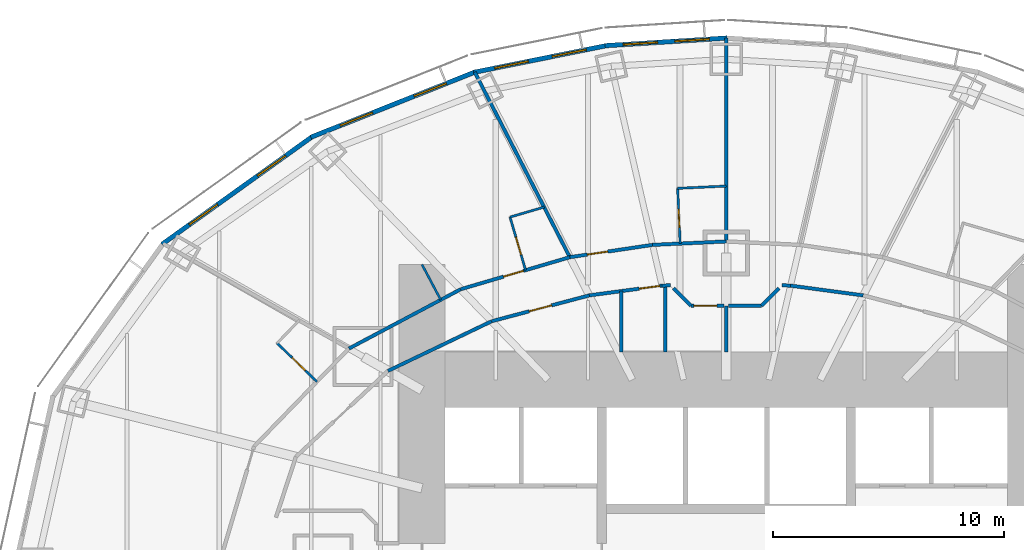
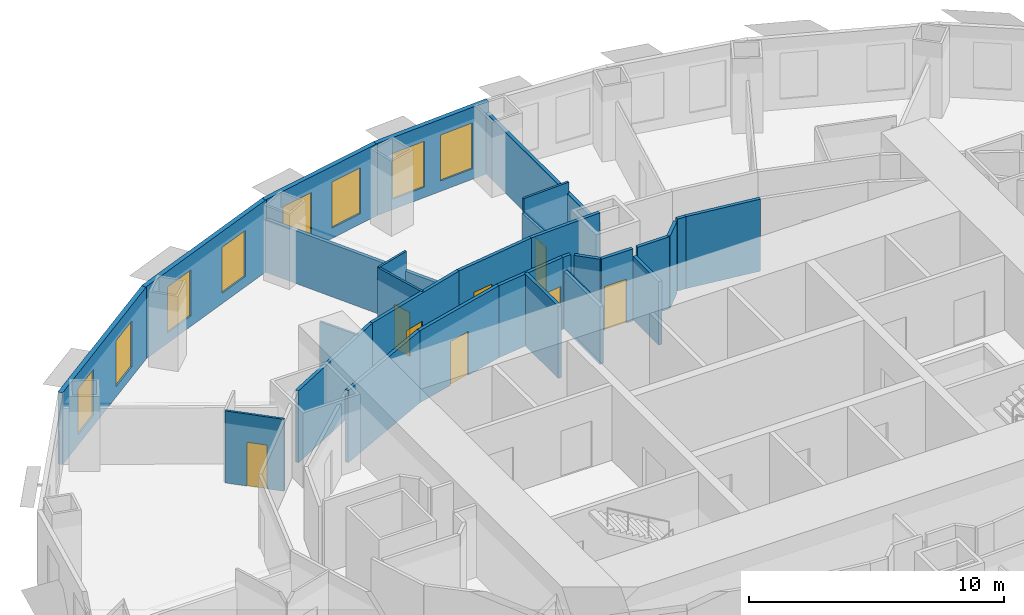
# One storey, part 9 of 15: 29 walls, 8 doors, 8 windows, 16 openings.
"""IFC4 building model written with IfcOpenShell, lengths in metres."""

from ifc_helpers import new_model, si_unit, direction, frame, frame_2d, origin, place, context, subcontext, project, spatial, rectangle, extrude, material, layer, layer_set, type_object, element, fill, save


model = new_model("IFC4")

# Units and contexts
model_context = context("Model", 3, precision=1e-05, world=origin(), true_north=direction((0.0, 1.0)))
body_context = subcontext(model_context, "Body", "Model", "MODEL_VIEW")
ifc_project = project(units=[si_unit("LENGTHUNIT", "METRE"), si_unit("AREAUNIT", "SQUARE_METRE"), si_unit("VOLUMEUNIT", "CUBIC_METRE"), si_unit("PLANEANGLEUNIT", "RADIAN"), si_unit("MASSUNIT", "GRAM", prefix="KILO")], contexts=[model_context])

# Site, building, storey
site_placement = place(None, origin())
site = spatial("IfcSite", under=ifc_project, at=site_placement, CompositionType="ELEMENT")
building_placement = place(site_placement, origin())
building = spatial("IfcBuilding", under=site, at=building_placement, Name="Lantaw Convention Tower", CompositionType="ELEMENT")
storey_placement = place(building_placement, frame((0.0, 0.0, 80.199951171875)))
storey = spatial("IfcBuildingStorey", under=building, at=storey_placement, Name="L18", CompositionType="ELEMENT", Elevation=80.199951171875)

# Wall
ifc_material_1 = material(Name="Gypsum board on steel studs", Category="steel")
ifc_layer_1 = layer(ifc_material_1, 0.14990234375)
ifc_layer_set_1 = layer_set([ifc_layer_1], Name="Back of house wall 150")
wall_type_1 = type_object("IfcWallType", Name="Back of house wall 150", PredefinedType="PARTITIONING", material=ifc_layer_set_1)
wall_1_placement = place(storey_placement, frame((0.0, 9.199951171875, 0.0), z_axis=(0.0, 0.0, 1.0), x_axis=(0.0, 1.0, 0.0)))
element("IfcWall", 1, at=wall_1_placement, inside=storey, type_object=wall_type_1, Name="Back of house wall 150", PredefinedType="PARTITIONING", context=body_context, shape_type="SweptSolid", body=[
    extrude(rectangle(XDim=2.005126953125, YDim=0.14990234375, at=frame_2d((1.00244140625, 0.0))), origin(), (0.0, 0.0, 1.0), 3.043701171875),
])

# Wall, opening, door
ifc_material_2 = material(Name="Moisture resistant gypsum board on steel studs", Category="steel")
ifc_layer_2 = layer(ifc_material_2, 0.10009765625)
ifc_layer_set_2 = layer_set([ifc_layer_2], Name="Bathroom wall 100")
wall_type_2 = type_object("IfcWallType", Name="Bathroom wall 100", PredefinedType="PARTITIONING", material=ifc_layer_set_2)
wall_2_placement = place(storey_placement, frame((-1.997802734375, 13.9072265625, 0.0), z_axis=(0.0, 0.0, 1.0), x_axis=(-0.046492089498, 0.998918658157, 0.0)))
wall_2 = element("IfcWall", 2, at=wall_2_placement, inside=storey, type_object=wall_type_2, Name="Bathroom wall 100", PredefinedType="PARTITIONING", context=body_context, shape_type="SweptSolid", body=[
    extrude(rectangle(XDim=2.39990234375, YDim=0.10009765625, at=frame_2d((1.199951171875, 0.0))), origin(), (0.0, 0.0, 1.0), 2.7490234375),
])
opening_1_placement = place(wall_2_placement, frame((0.699951171875, 0.0, 0.0)))
opening_1 = element("IfcOpeningElement", 3, at=opening_1_placement, cuts=wall_2, Name="Opening L18.33", PredefinedType="OPENING", context=body_context, shape_type="SweptSolid", body=[
    extrude(rectangle(XDim=0.800048828125, YDim=2.10009765625, at=frame_2d((0.39990234375, 1.050048828125))), frame((0.0, 0.06005859375, 0.0), z_axis=(0.0, -1.0, 0.0), x_axis=(1.0, 0.0, 0.0)), (0.0, 0.0, 1.0), 0.1201171875),
])
ifc_material_3 = material(Name="Timber", Category="wood")
door_type_1 = type_object("IfcDoorType", Name="Bathroom door 800", OperationType="SINGLE_SWING_LEFT", PredefinedType="DOOR", material=ifc_material_3)
door_1_placement = place(opening_1_placement, origin())
door_1 = element("IfcDoor", 4, at=door_1_placement, inside=storey, type_object=door_type_1, Name="Bathroom door", OperationType="SINGLE_SWING_LEFT", OverallHeight=2.10009765625, OverallWidth=0.800048828125, PredefinedType="DOOR", context=body_context, shape_type="SweptSolid", body=[
    extrude(rectangle(XDim=0.800048828125, YDim=2.10009765625, at=frame_2d((0.39990234375, 1.050048828125))), frame((0.0, 0.02490234375, 0.0), z_axis=(0.0, -1.0, 0.0), x_axis=(1.0, 0.0, 0.0)), (0.0, 0.0, 1.0), 0.050048828125),
])
fill(opening_1, door_1)

# Wall
wall_3_placement = place(storey_placement, frame((-2.109375, 16.304443359375, 0.0), z_axis=(0.0, 0.0, 1.0), x_axis=(0.998919337223, 0.04647749694, 0.0)))
element("IfcWall", 5, at=wall_3_placement, inside=storey, type_object=wall_type_2, Name="Bathroom wall 100", PredefinedType="PARTITIONING", context=body_context, shape_type="SweptSolid", body=[
    extrude(rectangle(XDim=2.111572265625, YDim=0.10009765625, at=frame_2d((1.0556640625, 0.0))), origin(), (0.0, 0.0, 1.0), 3.449951171875),
])

# Wall, opening, door
wall_4_placement = place(storey_placement, frame((-8.70458984375, 12.75390625, 0.0), z_axis=(0.0, 0.0, 1.0), x_axis=(-0.281659633817, 0.959514382736, 0.0)))
wall_4 = element("IfcWall", 6, at=wall_4_placement, inside=storey, type_object=wall_type_2, Name="Bathroom wall 100", PredefinedType="PARTITIONING", context=body_context, shape_type="SweptSolid", body=[
    extrude(rectangle(XDim=2.400146484375, YDim=0.10009765625, at=frame_2d((1.2001953125, 0.0))), origin(), (0.0, 0.0, 1.0), 3.449951171875),
])
opening_2_placement = place(wall_4_placement, frame((0.699951171875, 0.0, 0.0)))
opening_2 = element("IfcOpeningElement", 7, at=opening_2_placement, cuts=wall_4, Name="Opening L18.35", PredefinedType="OPENING", context=body_context, shape_type="SweptSolid", body=[
    extrude(rectangle(XDim=0.800048828125, YDim=2.10009765625, at=frame_2d((0.39990234375, 1.050048828125))), frame((0.0, 0.06005859375, 0.0), z_axis=(0.0, -1.0, 0.0), x_axis=(1.0, 0.0, 0.0)), (0.0, 0.0, 1.0), 0.1201171875),
])
door_2_placement = place(opening_2_placement, origin())
door_2 = element("IfcDoor", 8, at=door_2_placement, inside=storey, type_object=door_type_1, Name="Bathroom door", OperationType="SINGLE_SWING_LEFT", OverallHeight=2.10009765625, OverallWidth=0.800048828125, PredefinedType="DOOR", context=body_context, shape_type="SweptSolid", body=[
    extrude(rectangle(XDim=0.800048828125, YDim=2.10009765625, at=frame_2d((0.39990234375, 1.050048828125))), frame((0.0, 0.02490234375, 0.0), z_axis=(0.0, -1.0, 0.0), x_axis=(1.0, 0.0, 0.0)), (0.0, 0.0, 1.0), 0.050048828125),
])
fill(opening_2, door_2)

# Wall
wall_5_placement = place(storey_placement, frame((-9.380615234375, 15.056884765625, 0.0), z_axis=(0.0, 0.0, 1.0), x_axis=(0.959518451093, 0.281645773999, 0.0)))
element("IfcWall", 9, at=wall_5_placement, inside=storey, type_object=wall_type_2, Name="Bathroom wall 100", PredefinedType="PARTITIONING", context=body_context, shape_type="SweptSolid", body=[
    extrude(rectangle(XDim=1.549072265625, YDim=0.10009765625, at=frame_2d((0.7744140625, 0.0))), origin(), (0.0, 0.0, 1.0), 3.449951171875),
])

# Wall, opening, door
wall_6_placement = place(storey_placement, frame((-17.7607421875, 7.91748046875, 0.0), z_axis=(0.0, 0.0, 1.0), x_axis=(-0.718157610206, 0.695880483204, 0.0)))
wall_6 = element("IfcWall", 10, at=wall_6_placement, inside=storey, type_object=wall_type_2, Name="Bathroom wall 100", PredefinedType="PARTITIONING", context=body_context, shape_type="SweptSolid", body=[
    extrude(rectangle(XDim=2.400146484375, YDim=0.10009765625, at=frame_2d((1.2001953125, 0.0))), origin(), (0.0, 0.0, 1.0), 3.449951171875),
])
opening_3_placement = place(wall_6_placement, frame((0.699951171875, 0.0, 0.0)))
opening_3 = element("IfcOpeningElement", 11, at=opening_3_placement, cuts=wall_6, Name="Opening L18.37", PredefinedType="OPENING", context=body_context, shape_type="SweptSolid", body=[
    extrude(rectangle(XDim=0.800048828125, YDim=2.10009765625, at=frame_2d((0.39990234375, 1.050048828125))), frame((0.0, 0.06005859375, 0.0), z_axis=(0.0, -1.0, 0.0), x_axis=(1.0, 0.0, 0.0)), (0.0, 0.0, 1.0), 0.1201171875),
])
door_3_placement = place(opening_3_placement, origin())
door_3 = element("IfcDoor", 12, at=door_3_placement, inside=storey, type_object=door_type_1, Name="Bathroom door", OperationType="SINGLE_SWING_LEFT", OverallHeight=2.10009765625, OverallWidth=0.800048828125, PredefinedType="DOOR", context=body_context, shape_type="SweptSolid", body=[
    extrude(rectangle(XDim=0.800048828125, YDim=2.10009765625, at=frame_2d((0.39990234375, 1.050048828125))), frame((0.0, 0.02490234375, 0.0), z_axis=(0.0, -1.0, 0.0), x_axis=(1.0, 0.0, 0.0)), (0.0, 0.0, 1.0), 0.050048828125),
])
fill(opening_3, door_3)

# Wall
ifc_material_4 = material(Name="Gypsum board on steel studs, fire rated", Category="steel")
ifc_layer_3 = layer(ifc_material_4, 0.14990234375)
ifc_layer_set_3 = layer_set([ifc_layer_3], Name="Corridor wall 150 EI 60")
wall_type_3 = type_object("IfcWallType", Name="Corridor wall 150 EI 60", PredefinedType="PARTITIONING", material=ifc_layer_set_3)
wall_7_placement = place(storey_placement, frame((0.0, 14.0, 0.0), z_axis=(0.0, 0.0, 1.0), x_axis=(-0.998920826789, -0.046445471333, 0.0)))
element("IfcWall", 13, at=wall_7_placement, inside=storey, type_object=wall_type_3, Name="Corridor wall 150", PredefinedType="PARTITIONING", context=body_context, shape_type="SweptSolid", body=[
    extrude(rectangle(XDim=3.201171875, YDim=0.14990234375, at=frame_2d((1.6005859375, 0.0))), origin(), (0.0, 0.0, 1.0), 3.449951171875),
])

# Wall, opening, door
wall_8_placement = place(storey_placement, frame((-3.19775390625, 13.851318359375, 0.0), z_axis=(0.0, 0.0, 1.0), x_axis=(-0.989107488999, -0.14719502439, 0.0)))
wall_8 = element("IfcWall", 14, at=wall_8_placement, inside=storey, type_object=wall_type_3, Name="Corridor wall 150", PredefinedType="PARTITIONING", context=body_context, shape_type="SweptSolid", body=[
    extrude(rectangle(XDim=3.62744140625, YDim=0.14990234375, at=frame_2d((1.813720703125, 0.0))), origin(), (0.0, 0.0, 1.0), 3.449951171875),
])
opening_4_placement = place(wall_8_placement, frame((1.970458984375, 0.0, 0.0)))
opening_4 = element("IfcOpeningElement", 15, at=opening_4_placement, cuts=wall_8, Name="Opening L18.34", PredefinedType="OPENING", context=body_context, shape_type="SweptSolid", body=[
    extrude(rectangle(XDim=0.89990234375, YDim=2.10009765625, at=frame_2d((0.449951171875, 1.050048828125))), frame((0.0, 0.0849609375, 0.0), z_axis=(0.0, -1.0, 0.0), x_axis=(1.0, 0.0, 0.0)), (0.0, 0.0, 1.0), 0.169921875),
])
ifc_material_5 = material(Name="Steel, fire rated", Category="steel")
door_type_2 = type_object("IfcDoorType", Name="Guest room entrance door FD30S", OperationType="SINGLE_SWING_LEFT", PredefinedType="DOOR", material=ifc_material_5)
door_4_placement = place(opening_4_placement, origin())
door_4 = element("IfcDoor", 16, at=door_4_placement, inside=storey, type_object=door_type_2, Name="Junior suite entrance door", OperationType="SINGLE_SWING_LEFT", OverallHeight=2.10009765625, OverallWidth=0.89990234375, PredefinedType="DOOR", context=body_context, shape_type="SweptSolid", body=[
    extrude(rectangle(XDim=0.89990234375, YDim=2.10009765625, at=frame_2d((0.449951171875, 1.050048828125))), frame((0.0, 0.02490234375, 0.0), z_axis=(0.0, -1.0, 0.0), x_axis=(1.0, 0.0, 0.0)), (0.0, 0.0, 1.0), 0.050048828125),
])
fill(opening_4, door_4)

wall_9_placement = place(storey_placement, frame((-6.78564453125, 13.3173828125, 0.0), z_axis=(0.0, 0.0, 1.0), x_axis=(-0.959496227294, -0.281721475589, 0.0)))
wall_9 = element("IfcWall", 17, at=wall_9_placement, inside=storey, type_object=wall_type_3, Name="Corridor wall 150", PredefinedType="PARTITIONING", context=body_context, shape_type="SweptSolid", body=[
    extrude(rectangle(XDim=4.9326171875, YDim=0.14990234375, at=frame_2d((2.46630859375, 0.0))), origin(), (0.0, 0.0, 1.0), 3.449951171875),
])
opening_5_placement = place(wall_9_placement, frame((2.10009765625, 0.0, 0.0)))
opening_5 = element("IfcOpeningElement", 18, at=opening_5_placement, cuts=wall_9, Name="Opening L18.36", PredefinedType="OPENING", context=body_context, shape_type="SweptSolid", body=[
    extrude(rectangle(XDim=0.89990234375, YDim=2.10009765625, at=frame_2d((0.449951171875, 1.050048828125))), frame((0.0, 0.0849609375, 0.0), z_axis=(0.0, -1.0, 0.0), x_axis=(1.0, 0.0, 0.0)), (0.0, 0.0, 1.0), 0.169921875),
])
door_5_placement = place(opening_5_placement, origin())
door_5 = element("IfcDoor", 19, at=door_5_placement, inside=storey, type_object=door_type_2, Name="Junior suite entrance door", OperationType="SINGLE_SWING_LEFT", OverallHeight=2.10009765625, OverallWidth=0.89990234375, PredefinedType="DOOR", context=body_context, shape_type="SweptSolid", body=[
    extrude(rectangle(XDim=0.89990234375, YDim=2.10009765625, at=frame_2d((0.449951171875, 1.050048828125))), frame((0.0, 0.02490234375, 0.0), z_axis=(0.0, -1.0, 0.0), x_axis=(1.0, 0.0, 0.0)), (0.0, 0.0, 1.0), 0.050048828125),
])
fill(opening_5, door_5)

# Walls
wall_10_placement = place(storey_placement, frame((-11.5185546875, 11.927734375, 0.0), z_axis=(0.0, 0.0, 1.0), x_axis=(-0.883334368785, -0.468743419071, 0.0)))
element("IfcWall", 20, at=wall_10_placement, inside=storey, type_object=wall_type_3, Name="Corridor wall 150", PredefinedType="PARTITIONING", context=body_context, shape_type="SweptSolid", body=[
    extrude(rectangle(XDim=5.4912109375, YDim=0.14990234375, at=frame_2d((2.74560546875, 0.0))), origin(), (0.0, 0.0, 1.0), 3.449951171875),
])
wall_11_placement = place(storey_placement, frame((5.941162109375, 11.660400390625, 0.0), z_axis=(0.0, 0.0, 1.0), x_axis=(-0.991129053928, 0.13290296633, 0.0)))
element("IfcWall", 21, at=wall_11_placement, inside=storey, type_object=wall_type_3, Name="Corridor wall 150", PredefinedType="PARTITIONING", context=body_context, shape_type="SweptSolid", body=[
    extrude(rectangle(XDim=3.179931640625, YDim=0.14990234375, at=frame_2d((1.58984375, 0.0))), origin(), (0.0, 0.0, 1.0), 3.449951171875),
])

# Wall, opening, door
wall_12_placement = place(storey_placement, frame((-2.78955078125, 12.0830078125, 0.0), z_axis=(0.0, 0.0, 1.0), x_axis=(-0.991129053928, -0.13290296633, 0.0)))
wall_12 = element("IfcWall", 22, at=wall_12_placement, inside=storey, type_object=wall_type_3, Name="Corridor wall 150", PredefinedType="PARTITIONING", context=body_context, shape_type="SweptSolid", body=[
    extrude(rectangle(XDim=3.179931640625, YDim=0.14990234375, at=frame_2d((1.58984375, 0.0))), origin(), (0.0, 0.0, 1.0), 3.449951171875),
])
opening_6_placement = place(wall_12_placement, frame((0.10009765625, 0.0, 0.0)))
opening_6 = element("IfcOpeningElement", 23, at=opening_6_placement, cuts=wall_12, Name="Opening L18.19", PredefinedType="OPENING", context=body_context, shape_type="SweptSolid", body=[
    extrude(rectangle(XDim=0.89990234375, YDim=2.10009765625, at=frame_2d((0.449951171875, 1.050048828125))), frame((0.0, 0.0849609375, 0.0), z_axis=(0.0, -1.0, 0.0), x_axis=(1.0, 0.0, 0.0)), (0.0, 0.0, 1.0), 0.169921875),
])
door_type_3 = type_object("IfcDoorType", Name="WC door 900 FD30", OperationType="SINGLE_SWING_LEFT", PredefinedType="DOOR", material=ifc_material_5)
door_6_placement = place(opening_6_placement, origin())
door_6 = element("IfcDoor", 24, at=door_6_placement, inside=storey, type_object=door_type_3, Name="Staff WC door", OperationType="SINGLE_SWING_LEFT", OverallHeight=2.10009765625, OverallWidth=0.89990234375, PredefinedType="DOOR", context=body_context, shape_type="SweptSolid", body=[
    extrude(rectangle(XDim=0.89990234375, YDim=2.10009765625, at=frame_2d((0.449951171875, 1.050048828125))), frame((0.0, 0.02490234375, 0.0), z_axis=(0.0, -1.0, 0.0), x_axis=(1.0, 0.0, 0.0)), (0.0, 0.0, 1.0), 0.050048828125),
])
fill(opening_6, door_6)

wall_13_placement = place(storey_placement, frame((-5.941162109375, 11.660400390625, 0.0), z_axis=(0.0, 0.0, 1.0), x_axis=(-0.966672790407, -0.256015070428, 0.0)))
wall_13 = element("IfcWall", 25, at=wall_13_placement, inside=storey, type_object=wall_type_3, Name="Corridor wall 150", PredefinedType="PARTITIONING", context=body_context, shape_type="SweptSolid", body=[
    extrude(rectangle(XDim=4.3818359375, YDim=0.14990234375, at=frame_2d((2.19091796875, 0.0))), origin(), (0.0, 0.0, 1.0), 3.449951171875),
])
opening_7_placement = place(wall_13_placement, frame((1.69091796875, 0.0, 0.0)))
opening_7 = element("IfcOpeningElement", 26, at=opening_7_placement, cuts=wall_13, Name="Opening L18.20", PredefinedType="OPENING", context=body_context, shape_type="SweptSolid", body=[
    extrude(rectangle(XDim=1.0, YDim=2.10009765625, at=frame_2d((0.5, 1.050048828125))), frame((0.0, 0.0849609375, 0.0), z_axis=(0.0, -1.0, 0.0), x_axis=(1.0, 0.0, 0.0)), (0.0, 0.0, 1.0), 0.169921875),
])
door_type_4 = type_object("IfcDoorType", Name="Service door 1000 FD30", OperationType="SINGLE_SWING_LEFT", PredefinedType="DOOR", material=ifc_material_5)
door_7_placement = place(opening_7_placement, origin())
door_7 = element("IfcDoor", 27, at=door_7_placement, inside=storey, type_object=door_type_4, Name="Housekeeping room door", OperationType="SINGLE_SWING_LEFT", OverallHeight=2.10009765625, OverallWidth=1.0, PredefinedType="DOOR", context=body_context, shape_type="SweptSolid", body=[
    extrude(rectangle(XDim=1.0, YDim=2.10009765625, at=frame_2d((0.5, 1.050048828125))), frame((0.0, 0.02490234375, 0.0), z_axis=(0.0, -1.0, 0.0), x_axis=(1.0, 0.0, 0.0)), (0.0, 0.0, 1.0), 0.050048828125),
])
fill(opening_7, door_7)

# Walls
wall_14_placement = place(storey_placement, frame((-10.177001953125, 10.53857421875, 0.0), z_axis=(0.0, 0.0, 1.0), x_axis=(-0.901869692799, -0.43200816799, 0.0)))
element("IfcWall", 28, at=wall_14_placement, inside=storey, type_object=wall_type_3, Name="Corridor wall 150", PredefinedType="PARTITIONING", context=body_context, shape_type="SweptSolid", body=[
    extrude(rectangle(XDim=4.985595703125, YDim=0.14990234375, at=frame_2d((2.49267578125, 0.0))), origin(), (0.0, 0.0, 1.0), 3.449951171875),
])
for number, where, z_axis, x_axis, name in (
    (29, (2.78955078125, 12.0830078125, 0.0), (0.0, 0.0, 1.0), (-0.999111592136, 0.042142928935, 0.0), "Corridor wall 150"),
    (30, (-2.413330078125, 12.098876953125, 0.0), (0.0, 0.0, 1.0), (-0.999111592136, -0.042142928935, 0.0), "Corridor wall 150"),
):
    element("IfcWall", number, at=place(storey_placement, frame(where, z_axis=z_axis, x_axis=x_axis)), inside=storey, type_object=wall_type_3, Name=name, PredefinedType="PARTITIONING", context=body_context, shape_type="SweptSolid", body=[
        extrude(rectangle(XDim=0.37646484375, YDim=0.14990234375, at=frame_2d((0.188232421875, 0.0))), origin(), (0.0, 0.0, 1.0), 3.449951171875),
    ])
wall_15_placement = place(storey_placement, frame((2.284912109375, 11.9677734375, 0.0), z_axis=(0.0, 0.0, 1.0), x_axis=(-0.707106781187, -0.707106781187, 0.0)))
element("IfcWall", 31, at=wall_15_placement, inside=storey, type_object=wall_type_3, Name="Corridor wall 150", PredefinedType="PARTITIONING", context=body_context, shape_type="SweptSolid", body=[
    extrude(rectangle(XDim=1.064453125, YDim=0.14990234375, at=frame_2d((0.5322265625, 0.0))), origin(), (0.0, 0.0, 1.0), 3.449951171875),
])
wall_16_placement = place(storey_placement, frame((1.5322265625, 11.215087890625, 0.0), z_axis=(0.0, 0.0, 1.0), x_axis=(-1.0, 0.0, 0.0)))
element("IfcWall", 32, at=wall_16_placement, inside=storey, type_object=wall_type_3, Name="Corridor wall 150", PredefinedType="PARTITIONING", context=body_context, shape_type="SweptSolid", body=[
    extrude(rectangle(XDim=1.428955078125, YDim=0.14990234375, at=frame_2d((0.71435546875, 0.0))), origin(), (0.0, 0.0, 1.0), 3.449951171875),
])

# Wall, opening, door
wall_17_placement = place(storey_placement, frame((-0.103271484375, 11.215087890625, 0.0), z_axis=(0.0, 0.0, 1.0), x_axis=(-1.0, 0.0, 0.0)))
wall_17 = element("IfcWall", 33, at=wall_17_placement, inside=storey, type_object=wall_type_3, Name="Corridor wall 150", PredefinedType="PARTITIONING", context=body_context, shape_type="SweptSolid", body=[
    extrude(rectangle(XDim=1.428955078125, YDim=0.14990234375, at=frame_2d((0.71435546875, 0.0))), origin(), (0.0, 0.0, 1.0), 3.449951171875),
])
opening_8_placement = place(wall_17_placement, frame((0.300048828125, 0.0, 0.0)))
opening_8 = element("IfcOpeningElement", 34, at=opening_8_placement, cuts=wall_17, Name="Opening L18.18", PredefinedType="OPENING", context=body_context, shape_type="SweptSolid", body=[
    extrude(rectangle(XDim=1.0, YDim=2.10009765625, at=frame_2d((0.5, 1.050048828125))), frame((0.0, 0.0849609375, 0.0), z_axis=(0.0, -1.0, 0.0), x_axis=(1.0, 0.0, 0.0)), (0.0, 0.0, 1.0), 0.169921875),
])
door_type_5 = type_object("IfcDoorType", Name="Accessible WC door 1000 FD30", OperationType="SINGLE_SWING_LEFT", PredefinedType="DOOR", material=ifc_material_5)
door_8_placement = place(opening_8_placement, origin())
door_8 = element("IfcDoor", 35, at=door_8_placement, inside=storey, type_object=door_type_5, Name="Accessible WC door", OperationType="SINGLE_SWING_LEFT", OverallHeight=2.10009765625, OverallWidth=1.0, PredefinedType="DOOR", context=body_context, shape_type="SweptSolid", body=[
    extrude(rectangle(XDim=1.0, YDim=2.10009765625, at=frame_2d((0.5, 1.050048828125))), frame((0.0, 0.02490234375, 0.0), z_axis=(0.0, -1.0, 0.0), x_axis=(1.0, 0.0, 0.0)), (0.0, 0.0, 1.0), 0.050048828125),
])
fill(opening_8, door_8)

# Wall
wall_18_placement = place(storey_placement, frame((-1.5322265625, 11.215087890625, 0.0), z_axis=(0.0, 0.0, 1.0), x_axis=(-0.707106781187, 0.707106781187, 0.0)))
element("IfcWall", 36, at=wall_18_placement, inside=storey, type_object=wall_type_3, Name="Corridor wall 150", PredefinedType="PARTITIONING", context=body_context, shape_type="SweptSolid", body=[
    extrude(rectangle(XDim=1.064453125, YDim=0.14990234375, at=frame_2d((0.5322265625, 0.0))), origin(), (0.0, 0.0, 1.0), 3.449951171875),
])

# Wall, openings, windows
ifc_material_6 = material(Name="Insulated aluminium panel on steel frame", Category="steel")
ifc_layer_4 = layer(ifc_material_6, 0.199951171875)
ifc_layer_set_4 = layer_set([ifc_layer_4], Name="External wall 200")
wall_type_4 = type_object("IfcWallType", Name="External wall 200", PredefinedType="SOLIDWALL", material=ifc_layer_set_4)
wall_19_placement = place(storey_placement, frame((0.041015625, 22.8271484375, 0.0), z_axis=(0.0, 0.0, 1.0), x_axis=(-0.998018582375, -0.062919863585, 0.0)))
wall_19 = element("IfcWall", 37, at=wall_19_placement, inside=storey, type_object=wall_type_4, Name="Facade panel wall", PredefinedType="SOLIDWALL", context=body_context, shape_type="SweptSolid", body=[
    extrude(rectangle(XDim=5.30419921875, YDim=0.199951171875, at=frame_2d((2.652099609375, 0.0))), origin(), (0.0, 0.0, 1.0), 3.449951171875),
])
opening_9_placement = place(wall_19_placement, frame((0.77587890625, 0.0, 0.5)))
opening_9 = element("IfcOpeningElement", 38, at=opening_9_placement, cuts=wall_19, Name="Opening W2", PredefinedType="OPENING", context=body_context, shape_type="SweptSolid", body=[
    extrude(rectangle(XDim=1.5, YDim=2.199951171875, at=frame_2d((0.75, 1.10009765625))), frame((0.0, 0.10986328125, 0.0), z_axis=(0.0, -1.0, 0.0), x_axis=(1.0, 0.0, 0.0)), (0.0, 0.0, 1.0), 0.219970703125),
])
opening_10_placement = place(wall_19_placement, frame((3.028076171875, 0.0, 0.5)))
opening_10 = element("IfcOpeningElement", 39, at=opening_10_placement, cuts=wall_19, Name="Opening W2", PredefinedType="OPENING", context=body_context, shape_type="SweptSolid", body=[
    extrude(rectangle(XDim=1.5, YDim=2.199951171875, at=frame_2d((0.75, 1.10009765625))), frame((0.0, 0.10986328125, 0.0), z_axis=(0.0, -1.0, 0.0), x_axis=(1.0, 0.0, 0.0)), (0.0, 0.0, 1.0), 0.219970703125),
])
ifc_material_7 = material(Name="Aluminium frame, clear insulating glass", Category="aluminium")
window_type = type_object("IfcWindowType", Name="Suite window 1500x2200", PartitioningType="SINGLE_PANEL", PredefinedType="WINDOW", material=ifc_material_7)
window_1_placement = place(opening_9_placement, origin())
window_1 = element("IfcWindow", 40, at=window_1_placement, inside=storey, type_object=window_type, Name="Guest room window", OverallHeight=2.199951171875, OverallWidth=1.5, PartitioningType="SINGLE_PANEL", PredefinedType="WINDOW", context=body_context, shape_type="SweptSolid", body=[
    extrude(rectangle(XDim=1.5, YDim=2.199951171875, at=frame_2d((0.75, 1.10009765625))), frame((0.0, 0.030029296875, 0.0), z_axis=(0.0, -1.0, 0.0), x_axis=(1.0, 0.0, 0.0)), (0.0, 0.0, 1.0), 0.06005859375),
])
fill(opening_9, window_1)
window_2_placement = place(opening_10_placement, origin())
window_2 = element("IfcWindow", 41, at=window_2_placement, inside=storey, type_object=window_type, Name="Guest room window", OverallHeight=2.199951171875, OverallWidth=1.5, PartitioningType="SINGLE_PANEL", PredefinedType="WINDOW", context=body_context, shape_type="SweptSolid", body=[
    extrude(rectangle(XDim=1.5, YDim=2.199951171875, at=frame_2d((0.75, 1.10009765625))), frame((0.0, 0.030029296875, 0.0), z_axis=(0.0, -1.0, 0.0), x_axis=(1.0, 0.0, 0.0)), (0.0, 0.0, 1.0), 0.06005859375),
])
fill(opening_10, window_2)

wall_20_placement = place(storey_placement, frame((-5.169677734375, 22.504150390625, 0.0), z_axis=(0.0, 0.0, 1.0), x_axis=(-0.980251657452, -0.197754110105, 0.0)))
wall_20 = element("IfcWall", 42, at=wall_20_placement, inside=storey, type_object=wall_type_4, Name="Facade panel wall", PredefinedType="SOLIDWALL", context=body_context, shape_type="SweptSolid", body=[
    extrude(rectangle(XDim=5.90380859375, YDim=0.199951171875, at=frame_2d((2.951904296875, 0.0))), origin(), (0.0, 0.0, 1.0), 3.449951171875),
])
opening_11_placement = place(wall_20_placement, frame((0.92578125, 0.0, 0.5)))
opening_11 = element("IfcOpeningElement", 43, at=opening_11_placement, cuts=wall_20, Name="Opening W2", PredefinedType="OPENING", context=body_context, shape_type="SweptSolid", body=[
    extrude(rectangle(XDim=1.5, YDim=2.199951171875, at=frame_2d((0.75, 1.10009765625))), frame((0.0, 0.10986328125, 0.0), z_axis=(0.0, -1.0, 0.0), x_axis=(1.0, 0.0, 0.0)), (0.0, 0.0, 1.0), 0.219970703125),
])
opening_12_placement = place(wall_20_placement, frame((3.477783203125, 0.0, 0.5)))
opening_12 = element("IfcOpeningElement", 44, at=opening_12_placement, cuts=wall_20, Name="Opening W2", PredefinedType="OPENING", context=body_context, shape_type="SweptSolid", body=[
    extrude(rectangle(XDim=1.5, YDim=2.199951171875, at=frame_2d((0.75, 1.10009765625))), frame((0.0, 0.10986328125, 0.0), z_axis=(0.0, -1.0, 0.0), x_axis=(1.0, 0.0, 0.0)), (0.0, 0.0, 1.0), 0.219970703125),
])
window_3_placement = place(opening_11_placement, origin())
window_3 = element("IfcWindow", 45, at=window_3_placement, inside=storey, type_object=window_type, Name="Guest room window", OverallHeight=2.199951171875, OverallWidth=1.5, PartitioningType="SINGLE_PANEL", PredefinedType="WINDOW", context=body_context, shape_type="SweptSolid", body=[
    extrude(rectangle(XDim=1.5, YDim=2.199951171875, at=frame_2d((0.75, 1.10009765625))), frame((0.0, 0.030029296875, 0.0), z_axis=(0.0, -1.0, 0.0), x_axis=(1.0, 0.0, 0.0)), (0.0, 0.0, 1.0), 0.06005859375),
])
fill(opening_11, window_3)
window_4_placement = place(opening_12_placement, origin())
window_4 = element("IfcWindow", 46, at=window_4_placement, inside=storey, type_object=window_type, Name="Guest room window", OverallHeight=2.199951171875, OverallWidth=1.5, PartitioningType="SINGLE_PANEL", PredefinedType="WINDOW", context=body_context, shape_type="SweptSolid", body=[
    extrude(rectangle(XDim=1.5, YDim=2.199951171875, at=frame_2d((0.75, 1.10009765625))), frame((0.0, 0.030029296875, 0.0), z_axis=(0.0, -1.0, 0.0), x_axis=(1.0, 0.0, 0.0)), (0.0, 0.0, 1.0), 0.06005859375),
])
fill(opening_12, window_4)

wall_21_placement = place(storey_placement, frame((-10.869384765625, 21.362548828125, 0.0), z_axis=(0.0, 0.0, 1.0), x_axis=(-0.929358351251, -0.369178892895, 0.0)))
wall_21 = element("IfcWall", 47, at=wall_21_placement, inside=storey, type_object=wall_type_4, Name="Facade panel wall", PredefinedType="SOLIDWALL", context=body_context, shape_type="SweptSolid", body=[
    extrude(rectangle(XDim=7.6923828125, YDim=0.199951171875, at=frame_2d((3.84619140625, 0.0))), origin(), (0.0, 0.0, 1.0), 3.449951171875),
])
opening_13_placement = place(wall_21_placement, frame((1.373046875, 0.0, 0.5)))
opening_13 = element("IfcOpeningElement", 48, at=opening_13_placement, cuts=wall_21, Name="Opening W2", PredefinedType="OPENING", context=body_context, shape_type="SweptSolid", body=[
    extrude(rectangle(XDim=1.5, YDim=2.199951171875, at=frame_2d((0.75, 1.10009765625))), frame((0.0, 0.10986328125, 0.0), z_axis=(0.0, -1.0, 0.0), x_axis=(1.0, 0.0, 0.0)), (0.0, 0.0, 1.0), 0.219970703125),
])
opening_14_placement = place(wall_21_placement, frame((4.819091796875, 0.0, 0.5)))
opening_14 = element("IfcOpeningElement", 49, at=opening_14_placement, cuts=wall_21, Name="Opening W2", PredefinedType="OPENING", context=body_context, shape_type="SweptSolid", body=[
    extrude(rectangle(XDim=1.5, YDim=2.199951171875, at=frame_2d((0.75, 1.10009765625))), frame((0.0, 0.10986328125, 0.0), z_axis=(0.0, -1.0, 0.0), x_axis=(1.0, 0.0, 0.0)), (0.0, 0.0, 1.0), 0.219970703125),
])
window_5_placement = place(opening_13_placement, origin())
window_5 = element("IfcWindow", 50, at=window_5_placement, inside=storey, type_object=window_type, Name="Guest room window", OverallHeight=2.199951171875, OverallWidth=1.5, PartitioningType="SINGLE_PANEL", PredefinedType="WINDOW", context=body_context, shape_type="SweptSolid", body=[
    extrude(rectangle(XDim=1.5, YDim=2.199951171875, at=frame_2d((0.75, 1.10009765625))), frame((0.0, 0.030029296875, 0.0), z_axis=(0.0, -1.0, 0.0), x_axis=(1.0, 0.0, 0.0)), (0.0, 0.0, 1.0), 0.06005859375),
])
fill(opening_13, window_5)
window_6_placement = place(opening_14_placement, origin())
window_6 = element("IfcWindow", 51, at=window_6_placement, inside=storey, type_object=window_type, Name="Guest room window", OverallHeight=2.199951171875, OverallWidth=1.5, PartitioningType="SINGLE_PANEL", PredefinedType="WINDOW", context=body_context, shape_type="SweptSolid", body=[
    extrude(rectangle(XDim=1.5, YDim=2.199951171875, at=frame_2d((0.75, 1.10009765625))), frame((0.0, 0.030029296875, 0.0), z_axis=(0.0, -1.0, 0.0), x_axis=(1.0, 0.0, 0.0)), (0.0, 0.0, 1.0), 0.06005859375),
])
fill(opening_14, window_6)

wall_22_placement = place(storey_placement, frame((-17.9287109375, 18.57177734375, 0.0), z_axis=(0.0, 0.0, 1.0), x_axis=(-0.812791321576, -0.582554948112, 0.0)))
wall_22 = element("IfcWall", 52, at=wall_22_placement, inside=storey, type_object=wall_type_4, Name="Facade panel wall", PredefinedType="SOLIDWALL", context=body_context, shape_type="SweptSolid", body=[
    extrude(rectangle(XDim=8.063232421875, YDim=0.199951171875, at=frame_2d((4.03173828125, 0.0))), origin(), (0.0, 0.0, 1.0), 3.449951171875),
])
opening_15_placement = place(wall_22_placement, frame((1.4658203125, 0.0, 0.5)))
opening_15 = element("IfcOpeningElement", 53, at=opening_15_placement, cuts=wall_22, Name="Opening W2", PredefinedType="OPENING", context=body_context, shape_type="SweptSolid", body=[
    extrude(rectangle(XDim=1.5, YDim=2.199951171875, at=frame_2d((0.75, 1.10009765625))), frame((0.0, 0.10986328125, 0.0), z_axis=(0.0, -1.0, 0.0), x_axis=(1.0, 0.0, 0.0)), (0.0, 0.0, 1.0), 0.219970703125),
])
opening_16_placement = place(wall_22_placement, frame((5.097412109375, 0.0, 0.5)))
opening_16 = element("IfcOpeningElement", 54, at=opening_16_placement, cuts=wall_22, Name="Opening W2", PredefinedType="OPENING", context=body_context, shape_type="SweptSolid", body=[
    extrude(rectangle(XDim=1.5, YDim=2.199951171875, at=frame_2d((0.75, 1.10009765625))), frame((0.0, 0.10986328125, 0.0), z_axis=(0.0, -1.0, 0.0), x_axis=(1.0, 0.0, 0.0)), (0.0, 0.0, 1.0), 0.219970703125),
])
window_7_placement = place(opening_15_placement, origin())
window_7 = element("IfcWindow", 55, at=window_7_placement, inside=storey, type_object=window_type, Name="Guest room window", OverallHeight=2.199951171875, OverallWidth=1.5, PartitioningType="SINGLE_PANEL", PredefinedType="WINDOW", context=body_context, shape_type="SweptSolid", body=[
    extrude(rectangle(XDim=1.5, YDim=2.199951171875, at=frame_2d((0.75, 1.10009765625))), frame((0.0, 0.030029296875, 0.0), z_axis=(0.0, -1.0, 0.0), x_axis=(1.0, 0.0, 0.0)), (0.0, 0.0, 1.0), 0.06005859375),
])
fill(opening_15, window_7)
window_8_placement = place(opening_16_placement, origin())
window_8 = element("IfcWindow", 56, at=window_8_placement, inside=storey, type_object=window_type, Name="Guest room window", OverallHeight=2.199951171875, OverallWidth=1.5, PartitioningType="SINGLE_PANEL", PredefinedType="WINDOW", context=body_context, shape_type="SweptSolid", body=[
    extrude(rectangle(XDim=1.5, YDim=2.199951171875, at=frame_2d((0.75, 1.10009765625))), frame((0.0, 0.030029296875, 0.0), z_axis=(0.0, -1.0, 0.0), x_axis=(1.0, 0.0, 0.0)), (0.0, 0.0, 1.0), 0.06005859375),
])
fill(opening_16, window_8)

# Walls
ifc_material_8 = material(Name="Gypsum board on steel studs, acoustic", Category="steel")
ifc_layer_5 = layer(ifc_material_8, 0.14990234375)
ifc_layer_set_5 = layer_set([ifc_layer_5], Name="Guest room party wall 150")
wall_type_5 = type_object("IfcWallType", Name="Guest room party wall 150", PredefinedType="PARTITIONING", material=ifc_layer_set_5)
wall_23_placement = place(storey_placement, frame((0.0, 22.82470703125, 0.0), z_axis=(0.0, 0.0, 1.0), x_axis=(0.0, -1.0, 0.0)))
element("IfcWall", 57, at=wall_23_placement, inside=storey, type_object=wall_type_5, Name="Guest room party wall 150", PredefinedType="PARTITIONING", context=body_context, shape_type="SweptSolid", body=[
    extrude(rectangle(XDim=8.82470703125, YDim=0.14990234375, at=frame_2d((4.412353515625, 0.0))), origin(), (0.0, 0.0, 1.0), 2.92431640625),
])
wall_24_placement = place(storey_placement, frame((-10.911865234375, 21.345703125, 0.0), z_axis=(0.0, 0.0, 1.0), x_axis=(0.457117602022, -0.889406261458, 0.0)))
element("IfcWall", 58, at=wall_24_placement, inside=storey, type_object=wall_type_5, Name="Guest room party wall 150", PredefinedType="PARTITIONING", context=body_context, shape_type="SweptSolid", body=[
    extrude(rectangle(XDim=9.026611328125, YDim=0.14990234375, at=frame_2d((4.51318359375, 0.0))), origin(), (0.0, 0.0, 1.0), 2.528076171875),
])
ifc_layer_6 = layer(ifc_material_8, 0.10009765625)
ifc_layer_set_6 = layer_set([ifc_layer_6], Name="Office partition 100")
wall_type_6 = type_object("IfcWallType", Name="Office partition 100", PredefinedType="PARTITIONING", material=ifc_layer_set_6)
wall_25_placement = place(storey_placement, frame((-13.199951171875, 13.0, 0.0), z_axis=(0.0, 0.0, 1.0), x_axis=(0.46874717052, -0.88333237806, 0.0)))
element("IfcWall", 59, at=wall_25_placement, inside=storey, type_object=wall_type_6, Name="Office partition 100", PredefinedType="PARTITIONING", context=body_context, shape_type="SweptSolid", body=[
    extrude(rectangle(XDim=1.7353515625, YDim=0.10009765625, at=frame_2d((0.86767578125, 0.0))), origin(), (0.0, 0.0, 1.0), 3.449951171875),
])
ifc_material_9 = material(Name="Concrete blockwork", Category="masonry")
ifc_layer_7 = layer(ifc_material_9, 0.14990234375)
ifc_layer_set_7 = layer_set([ifc_layer_7], Name="WC wall 150")
wall_type_7 = type_object("IfcWallType", Name="WC wall 150", PredefinedType="SOLIDWALL", material=ifc_layer_set_7)
wall_26_placement = place(storey_placement, frame((-2.64990234375, 9.199951171875, 0.0), z_axis=(0.0, 0.0, 1.0), x_axis=(0.0, 1.0, 0.0)))
element("IfcWall", 60, at=wall_26_placement, inside=storey, type_object=wall_type_7, Name="WC wall 150", PredefinedType="SOLIDWALL", context=body_context, shape_type="SweptSolid", body=[
    extrude(rectangle(XDim=2.888916015625, YDim=0.14990234375, at=frame_2d((1.4443359375, 0.0))), origin(), (0.0, 0.0, 1.0), 2.766845703125),
])
wall_27_placement = place(storey_placement, frame((-4.550048828125, 9.199951171875, 0.0), z_axis=(0.0, 0.0, 1.0), x_axis=(0.0, 1.0, 0.0)))
element("IfcWall", 61, at=wall_27_placement, inside=storey, type_object=wall_type_7, Name="WC wall 150", PredefinedType="SOLIDWALL", context=body_context, shape_type="SweptSolid", body=[
    extrude(rectangle(XDim=2.64697265625, YDim=0.14990234375, at=frame_2d((1.323486328125, 0.0))), origin(), (0.0, 0.0, 1.0), 3.449951171875),
])

save(model, "model.ifc")
